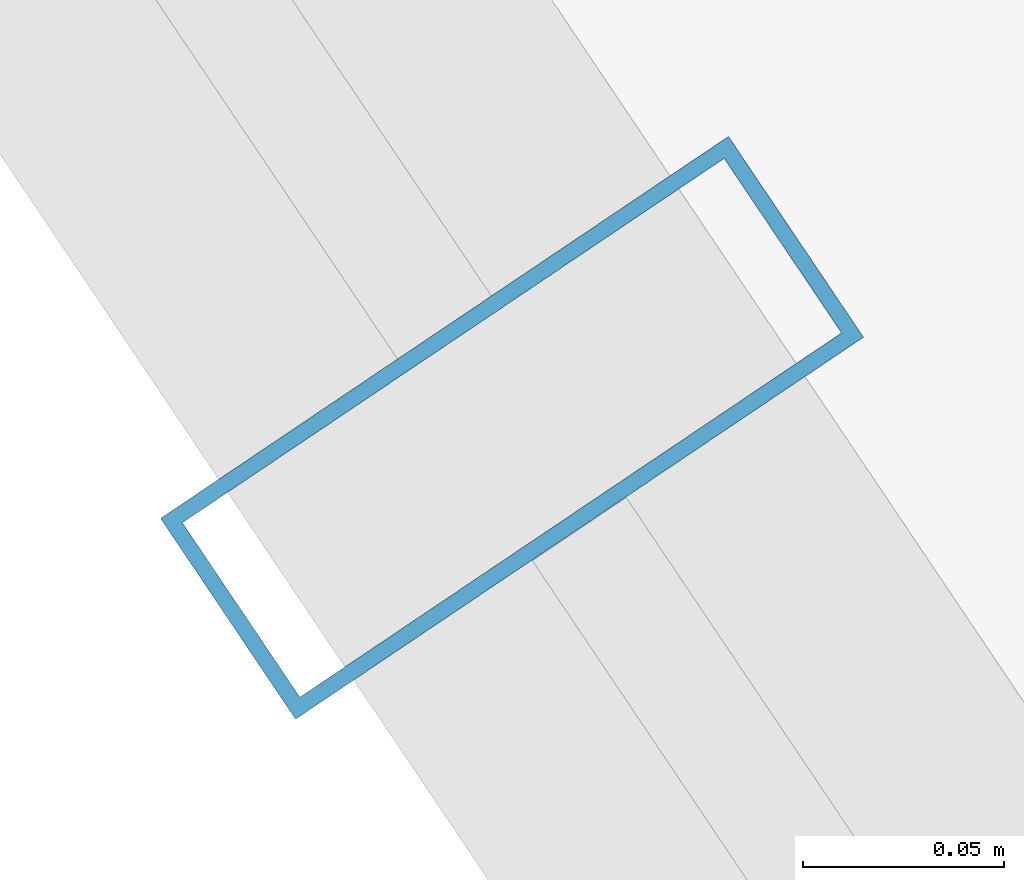
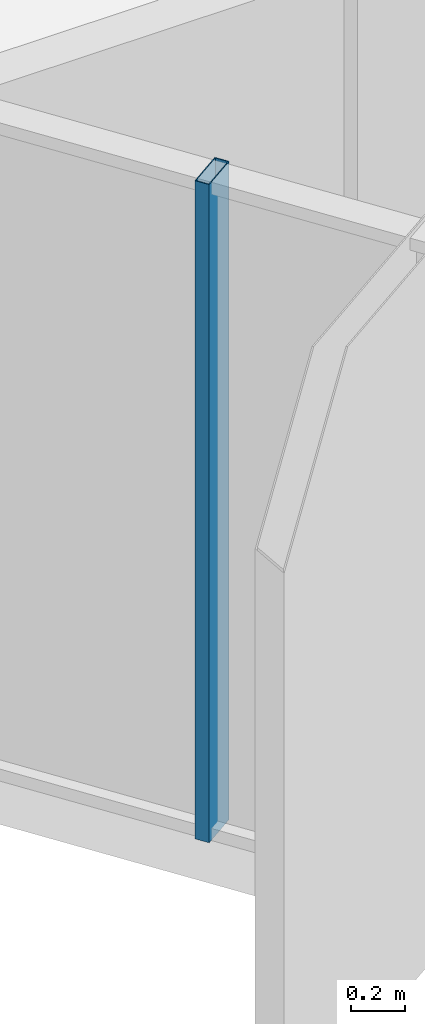
# One storey, part 4 of 37: 1 member, 1 element without a shape of its own.
"""IFC4 building model written with IfcOpenShell, lengths in metres."""

from ifc_helpers import new_model, si_unit, direction, frame, origin, origin_2d, place, context, subcontext, project, spatial, hollow_rectangle, extrude, source, transform, mapped, material, layer, layer_set, material_profile, profile_set, type_object, element, aggregate, save


model = new_model("IFC4")

# Units and contexts
model_context = context("Model", 3, precision=1e-05, world=origin(), true_north=direction((0.0, 1.0)))
body_context = subcontext(model_context, "Body", "Model", "MODEL_VIEW")
ifc_project = project(units=[si_unit("LENGTHUNIT", "METRE"), si_unit("AREAUNIT", "SQUARE_METRE"), si_unit("VOLUMEUNIT", "CUBIC_METRE"), si_unit("PLANEANGLEUNIT", "RADIAN"), si_unit("MASSUNIT", "GRAM", prefix="KILO")], contexts=[model_context])

# Site, building, storey
site_placement = place(None, origin())
site = spatial("IfcSite", under=ifc_project, at=site_placement, CompositionType="ELEMENT")
building_placement = place(site_placement, origin())
building = spatial("IfcBuilding", under=site, at=building_placement, Name="Veraguas Prism Commons", CompositionType="ELEMENT")
storey_placement = place(building_placement, frame((0.0, 0.0, 37.050048828125)))
storey = spatial("IfcBuildingStorey", under=building, at=storey_placement, Name="L09", CompositionType="ELEMENT", Elevation=37.050048828125)

# Curtain wall, member
ifc_material = material(Name="Anodised aluminium EN AW-6063 T6", Category="aluminium")
ifc_layer = layer(ifc_material, 0.169921875, Name="Unitised Flush Curtain Wall Zone 1", Category="aluminium")
ifc_layer_set = layer_set([ifc_layer], Name="Anodised aluminium EN AW-6063 T6")
curtain_wall_type = type_object("IfcCurtainWallType", Name="Unitised Flush Curtain Wall Zone 1", PredefinedType="NOTDEFINED", material=ifc_layer_set)
curtain_wall_placement = place(storey_placement, origin())
curtain_wall = element("IfcCurtainWall", 1, at=curtain_wall_placement, inside=storey, type_object=curtain_wall_type, Name="Tower Facade Curtain Wall L09-F4", PredefinedType="NOTDEFINED")
ifc_material_profile = material_profile(ifc_material, hollow_rectangle(XDim=0.06005859375, YDim=0.169921875, WallThickness=0.00390625, at=origin_2d()), Name="AL60X170X4")
ifc_profile_set = profile_set([ifc_material_profile], Name="Anodised aluminium EN AW-6063 T6")
member_type = type_object("IfcMemberType", Name="Curtain Wall Mullion Lower AL 60x170x4", PredefinedType="MULLION", material=ifc_profile_set)
shared_shape = source(origin(), body_context, "Body", "SweptSolid", [
    extrude(hollow_rectangle(XDim=0.06005859375, YDim=0.169921875, WallThickness=0.00390625, at=origin_2d()), origin(), (0.0, 0.0, 1.0), 3.0),
])
member_placement = place(storey_placement, frame((4.14599609375, 16.277587890625, 0.0), z_axis=(0.0, 0.0, 1.0), x_axis=(0.558034803938, -0.829817544761, 0.0)))
member = element("IfcMember", 2, at=member_placement, type_object=member_type, Name="CW-Z1 Mullion 2", PredefinedType="MULLION", context=body_context, shape_type="MappedRepresentation", body=[
    mapped(shared_shape, transform((0.0, 0.0, 0.0), scale=1.0)),
])
aggregate(curtain_wall, [member])

save(model, "model.ifc")
